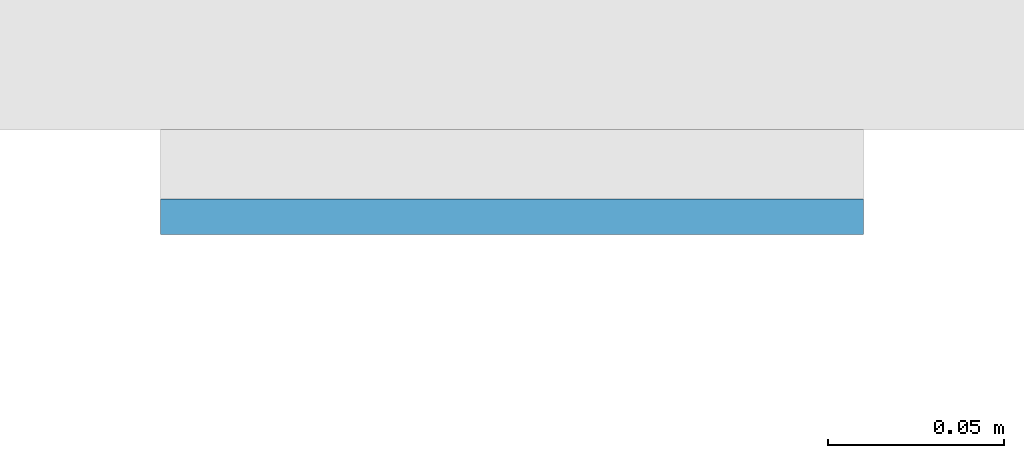
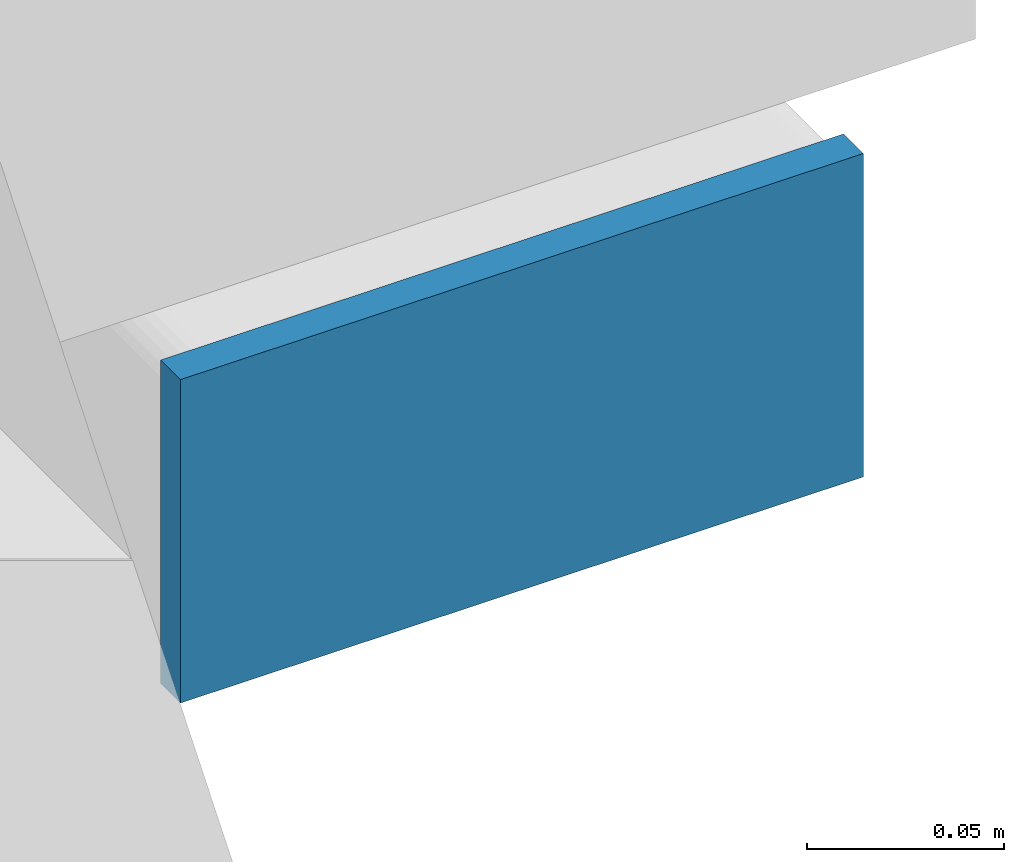
# One storey, part 5 of 12: 1 plate.
"""IFC4 building model written with IfcOpenShell, lengths in metres."""

from ifc_helpers import new_model, si_unit, direction, frame, origin, origin_2d, place, context, subcontext, project, spatial, rectangle, extrude, material, layer, layer_set, type_object, element, save


model = new_model("IFC4")

# Units and contexts
model_context = context("Model", 3, precision=1e-05, world=origin(), true_north=direction((0.0, 1.0)))
body_context = subcontext(model_context, "Body", "Model", "MODEL_VIEW")
ifc_project = project(units=[si_unit("LENGTHUNIT", "METRE"), si_unit("AREAUNIT", "SQUARE_METRE"), si_unit("VOLUMEUNIT", "CUBIC_METRE"), si_unit("PLANEANGLEUNIT", "RADIAN"), si_unit("MASSUNIT", "GRAM", prefix="KILO")], contexts=[model_context])

# Site, building, storey
site_placement = place(None, origin())
site = spatial("IfcSite", under=ifc_project, at=site_placement, CompositionType="ELEMENT")
building_placement = place(site_placement, origin())
building = spatial("IfcBuilding", under=site, at=building_placement, Name="Cleftline Residences", CompositionType="ELEMENT")
storey_placement = place(building_placement, frame((0.0, 0.0, 266.39990234375)))
storey = spatial("IfcBuildingStorey", under=building, at=storey_placement, Name="L70", CompositionType="ELEMENT", Elevation=266.39990234375)

# Plate
ifc_material = material(Name="Steel S355, hot-dip galvanised", Category="steel")
ifc_layer = layer(ifc_material, 0.010009765625)
ifc_layer_set = layer_set([ifc_layer], Name="BAGUETTE CARRIER END PLATE 200X100X10")
plate_type = type_object("IfcPlateType", Name="BAGUETTE CARRIER END PLATE 200X100X10", PredefinedType="USERDEFINED", material=ifc_layer_set)
plate_placement = place(storey_placement, frame((66.85009765625, 3.695068359375, -0.099853515625), z_axis=(0.0, 0.0, 1.0), x_axis=(1.0, 0.0, 0.0)))
element("IfcPlate", 1, at=plate_placement, inside=storey, type_object=plate_type, Name="Baguette carrier end plate", ObjectType="BAGUETTE CARRIER END PLATE", PredefinedType="USERDEFINED", context=body_context, shape_type="SweptSolid", body=[
    extrude(rectangle(XDim=0.199951171875, YDim=0.010009765625, at=origin_2d()), origin(), (0.0, 0.0, 1.0), 0.10009765625),
])

save(model, "model.ifc")
